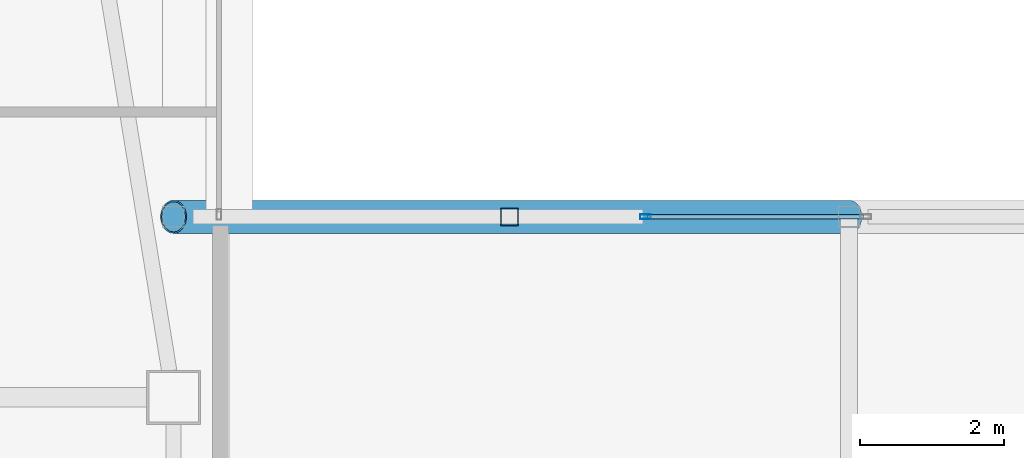
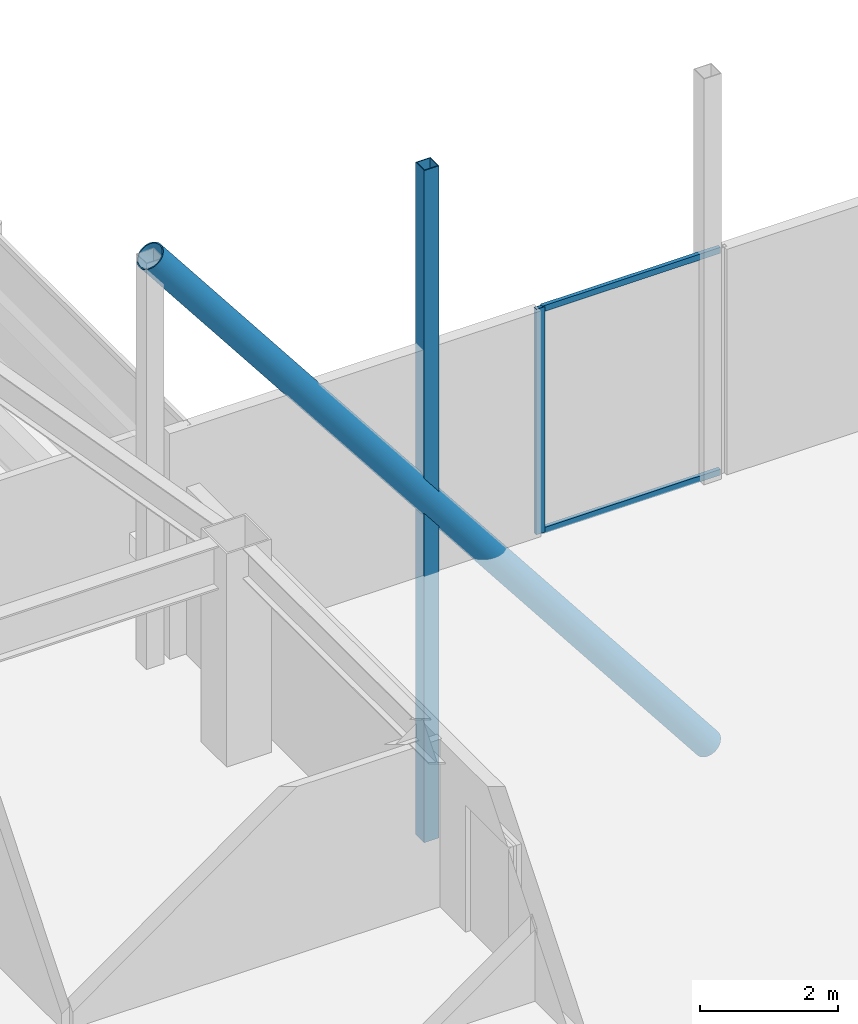
# One storey, part 17 of 53: 5 members, 1 element without a shape of its own.
"""IFC4 building model written with IfcOpenShell, lengths in metres."""

import ifcopenshell
import ifcopenshell.guid

model = None  # the IFC model being written
_history = None  # IfcOwnerHistory: only IFC2X3 demands one
_inside = {}  # id of a spatial element -> (the spatial element, [elements in it])
_under = {}  # id of a project, library or spatial element -> (it, [spatial elements below it])
_declared = {}  # id of a project -> (the project, [libraries it declares])
_typed = {}  # id of a type object -> (the type object, [elements of that type])
_made_of = {}  # id of a material, layer set ... -> (it, [elements and type objects made of it])


def new_model(schema):
    """Start an empty IFC model of exactly this schema.

    Asked for "IFC4X3", IfcOpenShell would pick the latest addendum, in which some entities
    have other attributes; the version numbers below select the first issue.
    IFC2X3 requires an IfcOwnerHistory on every rooted entity: one is made here for all.
    """
    global model, _history
    if schema == "IFC4X3":
        model = ifcopenshell.file(schema_version=(4, 3, 0, 0))
    else:
        model = ifcopenshell.file(schema=schema)
    _inside.clear()
    _under.clear()
    _declared.clear()
    _typed.clear()
    _made_of.clear()
    _history = None
    if model.schema == "IFC2X3":
        org = make("IfcOrganization", Name="unknown")
        user = make(
            "IfcPersonAndOrganization",
            ThePerson=make("IfcPerson", FamilyName="unknown"),
            TheOrganization=org,
        )
        app = make(
            "IfcApplication",
            ApplicationDeveloper=org,
            Version="unknown",
            ApplicationFullName="unknown",
            ApplicationIdentifier="unknown",
        )
        _history = make(
            "IfcOwnerHistory",
            OwningUser=user,
            OwningApplication=app,
            ChangeAction="ADDED",
            CreationDate=0,
        )
    return model


def make(cls, **values):
    """One entity of the class cls with the attributes given. An attribute that is None is left unset."""
    return model.create_entity(
        cls, **{name: value for name, value in values.items() if value is not None}
    )


def rooted(cls, **values):
    """An entity with a GlobalId (a new one), such as an element, a storey or a relation."""
    return make(cls, GlobalId=ifcopenshell.guid.new(), OwnerHistory=_history, **values)


def si_unit(unit_type, name, prefix=None):
    """IfcSIUnit, for example si_unit("LENGTHUNIT", "METRE", prefix="MILLI")."""
    return make("IfcSIUnit", UnitType=unit_type, Prefix=prefix, Name=name)


def assignment(units):
    """IfcUnitAssignment: the units of a project."""
    return None if units is None else make("IfcUnitAssignment", Units=units)


def point(xyz):
    """IfcCartesianPoint."""
    return None if xyz is None else make("IfcCartesianPoint", Coordinates=xyz)


def direction(xyz):
    """IfcDirection."""
    return None if xyz is None else make("IfcDirection", DirectionRatios=xyz)


def frame(location, z_axis=None, x_axis=None):
    """IfcAxis2Placement3D, a coordinate frame: its origin and axes. An axis left out is left unset."""
    return make(
        "IfcAxis2Placement3D",
        Location=point(location),
        Axis=direction(z_axis),
        RefDirection=direction(x_axis),
    )


def frame_2d(location, x_axis=None):
    """IfcAxis2Placement2D, a coordinate frame in the plane: its origin and x axis."""
    return make(
        "IfcAxis2Placement2D", Location=point(location), RefDirection=direction(x_axis)
    )


def origin():
    """The frame at (0, 0, 0) with its axes left unset."""
    return frame((0.0, 0.0, 0.0))


def origin_2d():
    """The frame at (0, 0) in the plane with its x axis left unset."""
    return frame_2d((0.0, 0.0))


def place(relative_to, where):
    """IfcLocalPlacement: puts the frame where relative to a parent placement (None: the world)."""
    return make(
        "IfcLocalPlacement", PlacementRelTo=relative_to, RelativePlacement=where
    )


def context(
    kind, dimensions, precision=None, world=None, true_north=None, identifier=None
):
    """IfcGeometricRepresentationContext, for example the 3D "Model" context."""
    return make(
        "IfcGeometricRepresentationContext",
        ContextIdentifier=identifier,
        ContextType=kind,
        CoordinateSpaceDimension=dimensions,
        Precision=precision,
        WorldCoordinateSystem=world,
        TrueNorth=true_north,
    )


def subcontext(parent, identifier, kind, view, scale=None):
    """IfcGeometricRepresentationSubContext, for example "Body" below "Model"."""
    return make(
        "IfcGeometricRepresentationSubContext",
        ContextIdentifier=identifier,
        ContextType=kind,
        ParentContext=parent,
        TargetScale=scale,
        TargetView=view,
    )


def project(units=None, contexts=None):
    """IfcProject with its units and contexts."""
    return rooted(
        "IfcProject",
        Name="project",
        RepresentationContexts=contexts,
        UnitsInContext=assignment(units),
    )


def spatial(cls, under=None, at=None, **own):
    """A site, building, storey or space (cls), placed at a placement, below another one or the project."""
    s = rooted(cls, ObjectPlacement=at, **own)
    if under is not None:
        _under.setdefault(under.id(), (under, []))[1].append(s)
    return s


def profile(cls, at=None, kind="AREA", **sizes):
    """A parametric profile (cls). Its sizes go by their IFC names, for example OverallWidth=200.0."""
    return make(cls, ProfileType=kind, Position=at, **sizes)


def hollow_rectangle(**sizes):
    """IfcRectangleHollowProfileDef."""
    return profile("IfcRectangleHollowProfileDef", **sizes)


def hollow_circle(**sizes):
    """IfcCircleHollowProfileDef."""
    return profile("IfcCircleHollowProfileDef", **sizes)


def extrude(swept, where, along, depth):
    """IfcExtrudedAreaSolid: the profile swept, set in the frame where, extruded along a direction by depth."""
    return make(
        "IfcExtrudedAreaSolid",
        SweptArea=swept,
        Position=where,
        ExtrudedDirection=direction(along),
        Depth=depth,
    )


def shape(context_of_items, identifier, shape_type, items):
    """IfcShapeRepresentation: the items that make up one representation, for example the "Body"."""
    return make(
        "IfcShapeRepresentation",
        ContextOfItems=context_of_items,
        RepresentationIdentifier=identifier,
        RepresentationType=shape_type,
        Items=items,
    )


def material(Name=None, Category=None):
    """IfcMaterial."""
    return make("IfcMaterial", Name=Name, Category=Category)


def material_profile(
    of_material, cross_section, Name=None, Category=None, Priority=None
):
    """IfcMaterialProfile: a cross section and its material."""
    return make(
        "IfcMaterialProfile",
        Name=Name,
        Material=of_material,
        Profile=cross_section,
        Priority=Priority,
        Category=Category,
    )


def profile_set(profiles, Name=None, composite=None):
    """IfcMaterialProfileSet."""
    return make(
        "IfcMaterialProfileSet",
        Name=Name,
        MaterialProfiles=profiles,
        CompositeProfile=composite,
    )


def made_of(thing, what):
    """Note that an element or type object is made of a material, layer set ...; save() writes the relation."""
    if what is not None:
        _made_of.setdefault(what.id(), (what, []))[1].append(thing)
    return thing


def type_object(cls, material=None, **own):
    """A type object (cls), such as IfcWallType, which elements share."""
    return made_of(rooted(cls, **own), material)


def element(
    cls,
    number,
    at=None,
    inside=None,
    cuts=None,
    type_object=None,
    material=None,
    context=None,
    identifier="Body",
    shape_type=None,
    held_by="IfcProductDefinitionShape",
    body=None,
    shapes=None,
    **own,
):
    """One element of the class cls, such as IfcWall. Its Tag is "e" and its number.

    at: its placement. inside: the storey or other place that contains it. cuts: it is an
    opening in that element (IfcRelVoidsElement). A single representation is given by context,
    identifier, shape_type and body (its items); several are given by shapes. held_by: the class
    of the entity that holds the representations. save() writes the other relations.
    """
    e = rooted(cls, Tag="e%d" % number, ObjectPlacement=at, **own)
    if body is not None:
        shapes = [shape(context, identifier, shape_type, body)]
    if shapes is not None:
        e.Representation = make(held_by, Representations=shapes)
    if inside is not None:
        _inside.setdefault(inside.id(), (inside, []))[1].append(e)
    if cuts is not None:
        rooted(
            "IfcRelVoidsElement", RelatingBuildingElement=cuts, RelatedOpeningElement=e
        )
    if type_object is not None:
        _typed.setdefault(type_object.id(), (type_object, []))[1].append(e)
    return made_of(e, material)


def aggregate(whole, parts):
    """IfcRelAggregates: a whole, such as a stair, and the parts it consists of."""
    return rooted("IfcRelAggregates", RelatingObject=whole, RelatedObjects=parts)


def save(model, path):
    """Write the relations noted so far, then the file.

    IfcRelAggregates (storeys below a building ...), IfcRelContainedInSpatialStructure (elements
    in a storey), IfcRelDefinesByType, IfcRelAssociatesMaterial and IfcRelDeclares: one each for
    every whole, place, type object, material and project.
    """
    for whole, parts in _under.values():
        aggregate(whole, parts)
    for where, things in _inside.values():
        rooted(
            "IfcRelContainedInSpatialStructure",
            RelatedElements=things,
            RelatingStructure=where,
        )
    for kind, things in _typed.values():
        rooted("IfcRelDefinesByType", RelatedObjects=things, RelatingType=kind)
    for what, things in _made_of.values():
        rooted("IfcRelAssociatesMaterial", RelatedObjects=things, RelatingMaterial=what)
    for by, libraries in _declared.values():
        rooted("IfcRelDeclares", RelatingContext=by, RelatedDefinitions=libraries)
    model.write(path)


model = new_model("IFC4")

# Units and contexts
model_context = context("Model", 3, precision=1e-05, world=origin(), true_north=direction((0.0, 1.0)))
body_context = subcontext(model_context, "Body", "Model", "MODEL_VIEW")
ifc_project = project(units=[si_unit("LENGTHUNIT", "METRE"), si_unit("AREAUNIT", "SQUARE_METRE"), si_unit("VOLUMEUNIT", "CUBIC_METRE"), si_unit("PLANEANGLEUNIT", "RADIAN"), si_unit("MASSUNIT", "GRAM", prefix="KILO")], contexts=[model_context])

# Site, building, storey
site_placement = place(None, origin())
site = spatial("IfcSite", under=ifc_project, at=site_placement, CompositionType="ELEMENT")
building_placement = place(site_placement, origin())
building = spatial("IfcBuilding", under=site, at=building_placement, Name="Tashvorn Skyway Center", CompositionType="ELEMENT")
storey_placement = place(building_placement, frame((0.0, 0.0, 255.39990234375)))
storey = spatial("IfcBuildingStorey", under=building, at=storey_placement, Name="L69", CompositionType="ELEMENT", Elevation=255.39990234375)

# Curtain wall, members
ifc_material_1 = material(Name="Thermally broken bronze-anodized aluminium 6063-T6", Category="aluminium")
curtain_wall_type = type_object("IfcCurtainWallType", Name="CW-CW-SKY", PredefinedType="NOTDEFINED", material=ifc_material_1)
curtain_wall_placement = place(storey_placement, origin())
curtain_wall = element("IfcCurtainWall", 1, at=curtain_wall_placement, inside=storey, type_object=curtain_wall_type, Name="Sky-Park L69 Bridge North Curtain Wall Glazing Group 1", PredefinedType="NOTDEFINED")
ifc_material_profile_1 = material_profile(ifc_material_1, hollow_rectangle(XDim=0.06494140625, YDim=0.14990234375, WallThickness=0.00390625, at=origin_2d()), Name="ALU-MULL-65x150")
ifc_profile_set_1 = profile_set([ifc_material_profile_1], Name="Thermally broken bronze-anodized aluminium 6063-T6")
member_type_1 = type_object("IfcMemberType", Name="CWM-CW-SKY", PredefinedType="MULLION", material=ifc_profile_set_1)
member_1_placement = place(storey_placement, frame((63.58251953125, 39.89990234375, 0.0), z_axis=(0.0, 0.0, 1.0), x_axis=(0.0, 1.0, 0.0)))
member_1 = element("IfcMember", 2, at=member_1_placement, type_object=member_type_1, Name="CW-SKY mullion 1", PredefinedType="MULLION", context=body_context, shape_type="SweptSolid", body=[
    extrude(hollow_rectangle(XDim=0.06494140625, YDim=0.14990234375, WallThickness=0.00390625, at=origin_2d()), origin(), (0.0, 0.0, 1.0), 4.0),
])
ifc_material_profile_2 = material_profile(ifc_material_1, hollow_rectangle(XDim=0.06494140625, YDim=0.10498046875, WallThickness=0.00390625, at=origin_2d()), Name="ALU-TRAN-65x105")
ifc_profile_set_2 = profile_set([ifc_material_profile_2], Name="Thermally broken bronze-anodized aluminium 6063-T6")
member_type_2 = type_object("IfcMemberType", Name="CWT-CW-SKY", PredefinedType="USERDEFINED", material=ifc_profile_set_2)
member_2_placement = place(storey_placement, frame((63.614990234375, 39.89990234375, 0.03271484375), z_axis=(1.0, 0.0, 0.0), x_axis=(0.0, 1.0, 0.0)))
member_2 = element("IfcMember", 3, at=member_2_placement, type_object=member_type_2, Name="CW-SKY transom 1.1", ObjectType="TRANSOM", PredefinedType="USERDEFINED", context=body_context, shape_type="SweptSolid", body=[
    extrude(hollow_rectangle(XDim=0.06494140625, YDim=0.10498046875, WallThickness=0.00390625, at=origin_2d()), origin(), (0.0, 0.0, 1.0), 2.985107421875),
])
member_3_placement = place(storey_placement, frame((63.614990234375, 39.89990234375, 3.967529296875), z_axis=(1.0, 0.0, 0.0), x_axis=(0.0, 1.0, 0.0)))
member_3 = element("IfcMember", 4, at=member_3_placement, type_object=member_type_2, Name="CW-SKY transom 1.2", ObjectType="TRANSOM", PredefinedType="USERDEFINED", context=body_context, shape_type="SweptSolid", body=[
    extrude(hollow_rectangle(XDim=0.06494140625, YDim=0.10498046875, WallThickness=0.00390625, at=origin_2d()), origin(), (0.0, 0.0, 1.0), 2.985107421875),
])
aggregate(curtain_wall, [member_1, member_2, member_3])

# Members
ifc_material_2 = material(Name="Steel ASTM A572 Grade 50", Category="steel")
ifc_material_profile_3 = material_profile(ifc_material_2, hollow_circle(Radius=0.228515625, WallThickness=0.02001953125, at=origin_2d()), Name="CHS457x20")
ifc_profile_set_3 = profile_set([ifc_material_profile_3], Name="Steel ASTM A572 Grade 50")
member_type_3 = type_object("IfcMemberType", Name="MEM-SP-DIA-457", PredefinedType="BRACE", material=ifc_profile_set_3)
member_4_placement = place(storey_placement, frame((57.050048828125, 39.89990234375, 7.194580078125), z_axis=(0.617176519571, 0.0, -0.786824722343), x_axis=(0.0, 1.0, 0.0)))
element("IfcMember", 5, at=member_4_placement, inside=storey, type_object=member_type_3, Name="Sky-Park Truss 2 Web Diagonal 06", PredefinedType="BRACE", context=body_context, shape_type="SweptSolid", body=[
    extrude(hollow_circle(Radius=0.228515625, WallThickness=0.02001953125, at=origin_2d()), origin(), (0.0, 0.0, 1.0), 15.1494140625),
])
ifc_material_profile_4 = material_profile(ifc_material_2, hollow_rectangle(XDim=0.25, YDim=0.25, WallThickness=0.012451171875, at=origin_2d()), Name="HSS250x250x12.5")
ifc_profile_set_4 = profile_set([ifc_material_profile_4], Name="Steel ASTM A572 Grade 50")
member_type_4 = type_object("IfcMemberType", Name="MEM-SP-PST-250", PredefinedType="POST", material=ifc_profile_set_4)
member_5_placement = place(storey_placement, frame((61.699951171875, 39.89990234375, -4.725341796875), z_axis=(0.0, 0.0, 1.0), x_axis=(1.0, 0.0, 0.0)))
element("IfcMember", 6, at=member_5_placement, inside=storey, type_object=member_type_4, Name="Sky-Park Truss 2 Secondary Web Post 3", PredefinedType="POST", context=body_context, shape_type="SweptSolid", body=[
    extrude(hollow_rectangle(XDim=0.25, YDim=0.25, WallThickness=0.012451171875, at=origin_2d()), origin(), (0.0, 0.0, 1.0), 11.919921875),
])

save(model, "model.ifc")
